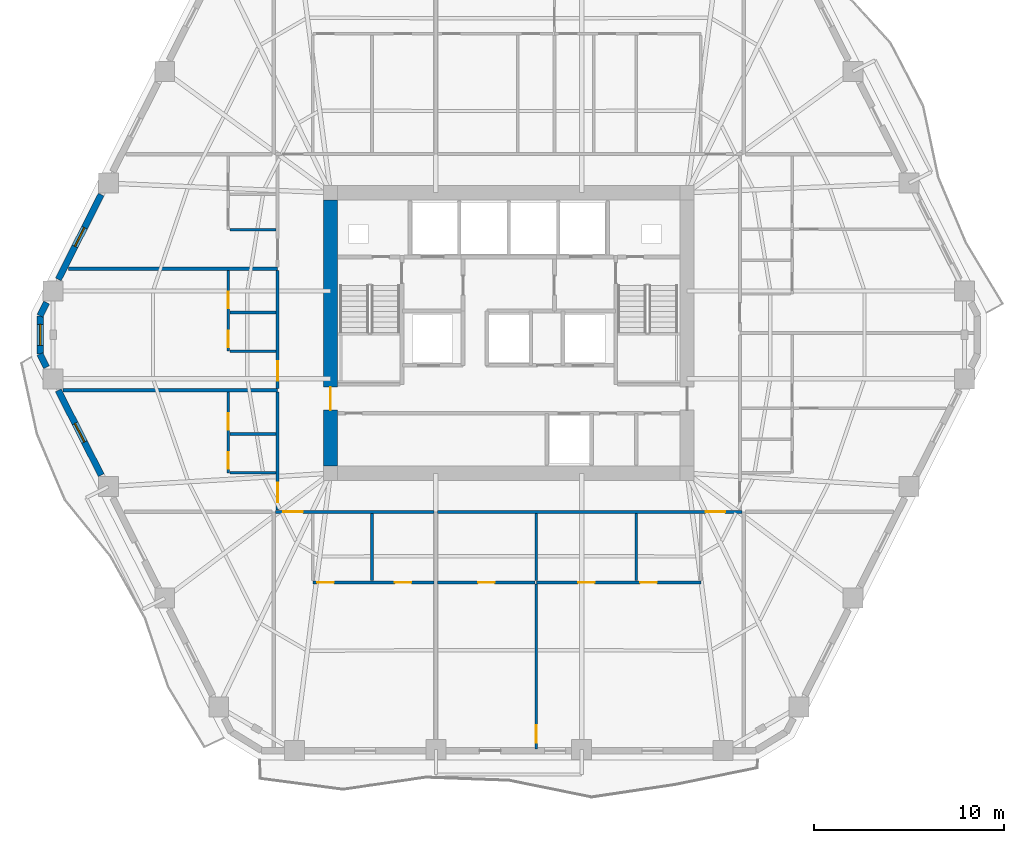
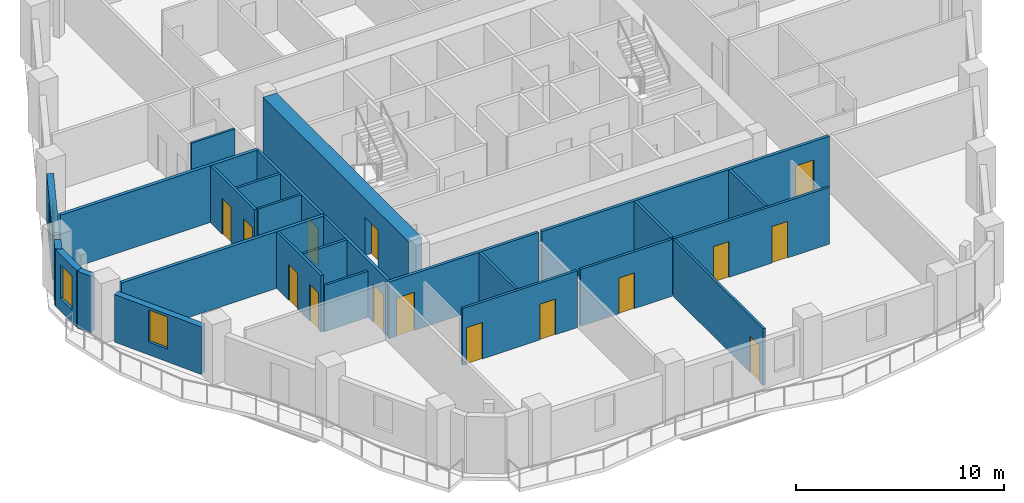
# One storey, part 4 of 11: 26 walls, 15 doors, 3 windows, 18 openings.
"""IFC4 building model written with IfcOpenShell, lengths in metres."""

from ifc_helpers import new_model, si_unit, direction, frame, frame_2d, origin, place, context, subcontext, project, spatial, rectangle, extrude, material, layer, layer_set, type_object, element, fill, save


model = new_model("IFC4")

# Units and contexts
model_context = context("Model", 3, precision=1e-05, world=origin(), true_north=direction((0.0, 1.0)))
body_context = subcontext(model_context, "Body", "Model", "MODEL_VIEW")
ifc_project = project(units=[si_unit("LENGTHUNIT", "METRE"), si_unit("AREAUNIT", "SQUARE_METRE"), si_unit("VOLUMEUNIT", "CUBIC_METRE"), si_unit("PLANEANGLEUNIT", "RADIAN"), si_unit("MASSUNIT", "GRAM", prefix="KILO")], contexts=[model_context])

# Site, building, storey
site_placement = place(None, origin())
site = spatial("IfcSite", under=ifc_project, at=site_placement, CompositionType="ELEMENT")
building_placement = place(site_placement, origin())
building = spatial("IfcBuilding", under=site, at=building_placement, Name="Cinnabar Lancet Tower", CompositionType="ELEMENT")
storey_placement = place(building_placement, frame((0.0, 0.0, 133.89990234375)))
storey = spatial("IfcBuildingStorey", under=building, at=storey_placement, Name="L35", CompositionType="ELEMENT", Elevation=133.89990234375)

# Wall, opening, door
ifc_material_1 = material(Name="Acoustic twin-stud gypsum partition", Category="gypsum")
ifc_layer_1 = layer(ifc_material_1, 0.159912109375)
ifc_layer_set_1 = layer_set([ifc_layer_1], Name="Acoustic twin-stud gypsum partition")
wall_type_1 = type_object("IfcWallType", Name="ARC-WL-CORR-160", PredefinedType="PARTITIONING", material=ifc_layer_set_1)
wall_1_placement = place(storey_placement, frame((20.14501953125, 16.5, 0.0), z_axis=(0.0, 0.0, 1.0), x_axis=(1.0, 0.0, 0.0)))
wall_1 = element("IfcWall", 1, at=wall_1_placement, inside=storey, type_object=wall_type_1, Name="L35 Unit S01 Corridor Wall", PredefinedType="PARTITIONING", context=body_context, shape_type="SweptSolid", body=[
    extrude(rectangle(XDim=8.327880859375, YDim=0.159912109375, at=frame_2d((4.1640625, 0.0))), origin(), (0.0, 0.0, 1.0), 3.340087890625),
])
opening_1_placement = place(wall_1_placement, frame((0.405029296875, 0.0, 0.0)))
opening_1 = element("IfcOpeningElement", 2, at=opening_1_placement, cuts=wall_1, Name="Opening UD-01", PredefinedType="OPENING", context=body_context, shape_type="SweptSolid", body=[
    extrude(rectangle(XDim=1.02001953125, YDim=2.25, at=frame_2d((0.510009765625, 1.125))), frame((0.0, 0.08984375, 0.0), z_axis=(0.0, -1.0, 0.0), x_axis=(1.0, 0.0, 0.0)), (0.0, 0.0, 1.0), 0.179931640625),
])
ifc_material_2 = material(Name="Solid timber fire-rated apartment entrance door", Category="wood")
door_type_1 = type_object("IfcDoorType", Name="ARC-DR-UNIT", OperationType="NOTDEFINED", PredefinedType="DOOR", material=ifc_material_2)
door_1_placement = place(opening_1_placement, origin())
door_1 = element("IfcDoor", 3, at=door_1_placement, inside=storey, type_object=door_type_1, Name="DR-L35-S01-ENT", OperationType="SINGLE_SWING_LEFT", OverallHeight=2.25, OverallWidth=1.02001953125, PredefinedType="DOOR", context=body_context, shape_type="SweptSolid", body=[
    extrude(rectangle(XDim=1.02001953125, YDim=2.25, at=frame_2d((0.510009765625, 1.125))), frame((0.0, 0.02490234375, 0.0), z_axis=(0.0, -1.0, 0.0), x_axis=(1.0, 0.0, 0.0)), (0.0, 0.0, 1.0), 0.050048828125),
])
fill(opening_1, door_1)

wall_2_placement = place(storey_placement, frame((28.6630859375, 16.5, 0.0), z_axis=(0.0, 0.0, 1.0), x_axis=(1.0, 0.0, 0.0)))
wall_2 = element("IfcWall", 4, at=wall_2_placement, inside=storey, type_object=wall_type_1, Name="L35 Unit S02 Corridor Wall", PredefinedType="PARTITIONING", context=body_context, shape_type="SweptSolid", body=[
    extrude(rectangle(XDim=15.991943359375, YDim=0.159912109375, at=frame_2d((7.99609375, 0.0))), origin(), (0.0, 0.0, 1.0), 3.340087890625),
])
opening_2_placement = place(wall_2_placement, frame((14.0869140625, 0.0, 0.0)))
opening_2 = element("IfcOpeningElement", 5, at=opening_2_placement, cuts=wall_2, Name="Opening UD-01", PredefinedType="OPENING", context=body_context, shape_type="SweptSolid", body=[
    extrude(rectangle(XDim=1.02001953125, YDim=2.25, at=frame_2d((0.510009765625, 1.125))), frame((0.0, 0.08984375, 0.0), z_axis=(0.0, -1.0, 0.0), x_axis=(1.0, 0.0, 0.0)), (0.0, 0.0, 1.0), 0.179931640625),
])
door_2_placement = place(opening_2_placement, origin())
door_2 = element("IfcDoor", 6, at=door_2_placement, inside=storey, type_object=door_type_1, Name="DR-L35-S02-ENT", OperationType="SINGLE_SWING_RIGHT", OverallHeight=2.25, OverallWidth=1.02001953125, PredefinedType="DOOR", context=body_context, shape_type="SweptSolid", body=[
    extrude(rectangle(XDim=1.02001953125, YDim=2.25, at=frame_2d((0.510009765625, 1.125))), frame((0.0, 0.02490234375, 0.0), z_axis=(0.0, -1.0, 0.0), x_axis=(1.0, 0.0, 0.0)), (0.0, 0.0, 1.0), 0.050048828125),
])
fill(opening_2, door_2)

wall_3_placement = place(storey_placement, frame((20.25, 16.594970703125, 0.0), z_axis=(0.0, 0.0, 1.0), x_axis=(0.0, 1.0, 0.0)))
wall_3 = element("IfcWall", 7, at=wall_3_placement, inside=storey, type_object=wall_type_1, Name="UW-L35-W01-COR", PredefinedType="PARTITIONING", context=body_context, shape_type="SweptSolid", body=[
    extrude(rectangle(XDim=6.2021484375, YDim=0.159912109375, at=frame_2d((3.10107421875, 0.0))), origin(), (0.0, 0.0, 1.0), 3.340087890625),
])
opening_3_placement = place(wall_3_placement, frame((0.39990234375, 0.0, 0.0)))
opening_3 = element("IfcOpeningElement", 8, at=opening_3_placement, cuts=wall_3, Name="Opening UD-01", PredefinedType="OPENING", context=body_context, shape_type="SweptSolid", body=[
    extrude(rectangle(XDim=1.02001953125, YDim=2.25, at=frame_2d((0.510009765625, 1.125))), frame((0.0, 0.08984375, 0.0), z_axis=(0.0, -1.0, 0.0), x_axis=(1.0, 0.0, 0.0)), (0.0, 0.0, 1.0), 0.179931640625),
])
door_3_placement = place(opening_3_placement, origin())
door_3 = element("IfcDoor", 9, at=door_3_placement, inside=storey, type_object=door_type_1, Name="DR-L35-W01-ENT", OperationType="SINGLE_SWING_LEFT", OverallHeight=2.25, OverallWidth=1.02001953125, PredefinedType="DOOR", context=body_context, shape_type="SweptSolid", body=[
    extrude(rectangle(XDim=1.02001953125, YDim=2.25, at=frame_2d((0.510009765625, 1.125))), frame((0.0, 0.02490234375, 0.0), z_axis=(0.0, -1.0, 0.0), x_axis=(1.0, 0.0, 0.0)), (0.0, 0.0, 1.0), 0.050048828125),
])
fill(opening_3, door_3)

wall_4_placement = place(storey_placement, frame((20.25, 22.987060546875, 0.0), z_axis=(0.0, 0.0, 1.0), x_axis=(0.0, 1.0, 0.0)))
wall_4 = element("IfcWall", 10, at=wall_4_placement, inside=storey, type_object=wall_type_1, Name="UW-L35-W02-COR", PredefinedType="PARTITIONING", context=body_context, shape_type="SweptSolid", body=[
    extrude(rectangle(XDim=6.201904296875, YDim=0.159912109375, at=frame_2d((3.10107421875, 0.0))), origin(), (0.0, 0.0, 1.0), 3.340087890625),
])
opening_4_placement = place(wall_4_placement, frame((0.39990234375, 0.0, 0.0)))
opening_4 = element("IfcOpeningElement", 11, at=opening_4_placement, cuts=wall_4, Name="Opening UD-01", PredefinedType="OPENING", context=body_context, shape_type="SweptSolid", body=[
    extrude(rectangle(XDim=1.02001953125, YDim=2.25, at=frame_2d((0.510009765625, 1.125))), frame((0.0, 0.08984375, 0.0), z_axis=(0.0, -1.0, 0.0), x_axis=(1.0, 0.0, 0.0)), (0.0, 0.0, 1.0), 0.179931640625),
])
door_4_placement = place(opening_4_placement, origin())
door_4 = element("IfcDoor", 12, at=door_4_placement, inside=storey, type_object=door_type_1, Name="DR-L35-W02-ENT", OperationType="SINGLE_SWING_RIGHT", OverallHeight=2.25, OverallWidth=1.02001953125, PredefinedType="DOOR", context=body_context, shape_type="SweptSolid", body=[
    extrude(rectangle(XDim=1.02001953125, YDim=2.25, at=frame_2d((0.510009765625, 1.125))), frame((0.0, 0.02490234375, 0.0), z_axis=(0.0, -1.0, 0.0), x_axis=(1.0, 0.0, 0.0)), (0.0, 0.0, 1.0), 0.050048828125),
])
fill(opening_4, door_4)

# Walls
ifc_material_3 = material(Name="Fire-rated twin-frame acoustic drywall", Category="gypsum")
ifc_layer_2 = layer(ifc_material_3, 0.179931640625)
ifc_layer_set_2 = layer_set([ifc_layer_2], Name="Fire-rated twin-frame acoustic drywall")
wall_type_2 = type_object("IfcWallType", Name="ARC-WL-PARTY-180", PredefinedType="PARTITIONING", material=ifc_layer_set_2)
wall_5_placement = place(storey_placement, frame((8.950927734375, 22.89208984375, 0.0), z_axis=(0.0, 0.0, 1.0), x_axis=(1.0, 0.0, 0.0)))
element("IfcWall", 13, at=wall_5_placement, inside=storey, type_object=wall_type_2, Name="PW-L35-WPTY-1", PredefinedType="PARTITIONING", context=body_context, shape_type="SweptSolid", body=[
    extrude(rectangle(XDim=11.299072265625, YDim=0.179931640625, at=frame_2d((5.6494140625, 0.0))), origin(), (0.0, 0.0, 1.0), 3.340087890625),
])
wall_6_placement = place(storey_placement, frame((9.241943359375, 29.283935546875, 0.0), z_axis=(0.0, 0.0, 1.0), x_axis=(1.0, 0.0, 0.0)))
element("IfcWall", 14, at=wall_6_placement, inside=storey, type_object=wall_type_2, Name="PW-L35-WPTY-2", PredefinedType="PARTITIONING", context=body_context, shape_type="SweptSolid", body=[
    extrude(rectangle(XDim=11.008056640625, YDim=0.179931640625, at=frame_2d((5.50390625, 0.0))), origin(), (0.0, 0.0, 1.0), 3.340087890625),
])

# Wall, opening, door
ifc_material_4 = material(Name="Gypsum plasterboard stud partition", Category="gypsum")
ifc_layer_3 = layer(ifc_material_4, 0.125)
ifc_layer_set_3 = layer_set([ifc_layer_3], Name="Gypsum plasterboard stud partition")
wall_type_3 = type_object("IfcWallType", Name="ARC-WL-UNIT-125", PredefinedType="PARTITIONING", material=ifc_layer_set_3)
wall_7_placement = place(storey_placement, frame((33.85009765625, 4.014892578125, 0.0), z_axis=(0.0, 0.0, 1.0), x_axis=(0.0, 1.0, 0.0)))
wall_7 = element("IfcWall", 15, at=wall_7_placement, inside=storey, type_object=wall_type_3, Name="UW-L35-S02-MBW", PredefinedType="PARTITIONING", context=body_context, shape_type="SweptSolid", body=[
    extrude(rectangle(XDim=8.692138671875, YDim=0.125, at=frame_2d((4.34619140625, 0.0))), origin(), (0.0, 0.0, 1.0), 3.340087890625),
])
opening_5_placement = place(wall_7_placement, frame((0.35009765625, 0.0, 0.0)))
opening_5 = element("IfcOpeningElement", 16, at=opening_5_placement, cuts=wall_7, Name="Opening RD-01", PredefinedType="OPENING", context=body_context, shape_type="SweptSolid", body=[
    extrude(rectangle(XDim=0.919921875, YDim=2.14990234375, at=frame_2d((0.4599609375, 1.074951171875))), frame((0.0, 0.072509765625, 0.0), z_axis=(0.0, -1.0, 0.0), x_axis=(1.0, 0.0, 0.0)), (0.0, 0.0, 1.0), 0.14501953125),
])
ifc_material_5 = material(Name="Engineered timber bedroom door", Category="wood")
door_type_2 = type_object("IfcDoorType", Name="ARC-DR-ROOM", OperationType="NOTDEFINED", PredefinedType="DOOR", material=ifc_material_5)
door_5_placement = place(opening_5_placement, origin())
door_5 = element("IfcDoor", 17, at=door_5_placement, inside=storey, type_object=door_type_2, Name="DR-L35-S02-MBD", OperationType="SINGLE_SWING_LEFT", OverallHeight=2.14990234375, OverallWidth=0.919921875, PredefinedType="DOOR", context=body_context, shape_type="SweptSolid", body=[
    extrude(rectangle(XDim=0.919921875, YDim=2.14990234375, at=frame_2d((0.4599609375, 1.074951171875))), frame((0.0, 0.02490234375, 0.0), z_axis=(0.0, -1.0, 0.0), x_axis=(1.0, 0.0, 0.0)), (0.0, 0.0, 1.0), 0.050048828125),
])
fill(opening_5, door_5)

# Walls
wall_8_placement = place(storey_placement, frame((17.735107421875, 18.550048828125, 0.0), z_axis=(0.0, 0.0, 1.0), x_axis=(1.0, 0.0, 0.0)))
element("IfcWall", 18, at=wall_8_placement, inside=storey, type_object=wall_type_3, Name="UW-L35-W01-FOYN", PredefinedType="PARTITIONING", context=body_context, shape_type="SweptSolid", body=[
    extrude(rectangle(XDim=2.429931640625, YDim=0.125, at=frame_2d((1.21484375, 0.0))), origin(), (0.0, 0.0, 1.0), 2.72216796875),
])
for number, where, z_axis, x_axis, name in (
    (19, (17.735107421875, 24.94189453125, 0.0), (0.0, 0.0, 1.0), (1.0, 0.0, 0.0), "UW-L35-W02-FOYN"),
    (20, (17.735107421875, 31.333984375, 0.0), (0.0, 0.0, 1.0), (1.0, 0.0, 0.0), "UW-L35-W03-FOYN"),
):
    element("IfcWall", number, at=place(storey_placement, frame(where, z_axis=z_axis, x_axis=x_axis)), inside=storey, type_object=wall_type_3, Name=name, PredefinedType="PARTITIONING", context=body_context, shape_type="SweptSolid", body=[
        extrude(rectangle(XDim=2.429931640625, YDim=0.125, at=frame_2d((1.21484375, 0.0))), origin(), (0.0, 0.0, 1.0), 3.340087890625),
    ])

# Wall, openings, doors
ifc_material_6 = material(Name="Moisture-resistant cement-board plumbing wall", Category="masonry")
ifc_layer_4 = layer(ifc_material_6, 0.139892578125)
ifc_layer_set_4 = layer_set([ifc_layer_4], Name="Moisture-resistant cement-board plumbing wall")
wall_type_4 = type_object("IfcWallType", Name="ARC-WL-WET-140", PredefinedType="PLUMBINGWALL", material=ifc_layer_set_4)
wall_9_placement = place(storey_placement, frame((22.10009765625, 12.781982421875, 0.0), z_axis=(0.0, 0.0, 1.0), x_axis=(1.0, 0.0, 0.0)))
wall_9 = element("IfcWall", 21, at=wall_9_placement, inside=storey, type_object=wall_type_4, Name="UW-L35-S01-SPL", PredefinedType="PLUMBINGWALL", context=body_context, shape_type="SweptSolid", body=[
    extrude(rectangle(XDim=6.372802734375, YDim=0.139892578125, at=frame_2d((3.1865234375, 0.0))), origin(), (0.0, 0.0, 1.0), 3.340087890625),
])
opening_6_placement = place(wall_9_placement, frame((4.31396484375, 0.0, 0.0)))
opening_6 = element("IfcOpeningElement", 22, at=opening_6_placement, cuts=wall_9, Name="Opening BD-01", PredefinedType="OPENING", context=body_context, shape_type="SweptSolid", body=[
    extrude(rectangle(XDim=0.860107421875, YDim=2.10009765625, at=frame_2d((0.43017578125, 1.050048828125))), frame((0.0, 0.079833984375, 0.0), z_axis=(0.0, -1.0, 0.0), x_axis=(1.0, 0.0, 0.0)), (0.0, 0.0, 1.0), 0.159912109375),
])
opening_7_placement = place(wall_9_placement, frame((0.219970703125, 0.0, 0.0)))
opening_7 = element("IfcOpeningElement", 23, at=opening_7_placement, cuts=wall_9, Name="Opening RD-02", PredefinedType="OPENING", context=body_context, shape_type="SweptSolid", body=[
    extrude(rectangle(XDim=0.8798828125, YDim=2.14990234375, at=frame_2d((0.43994140625, 1.074951171875))), frame((0.0, 0.079833984375, 0.0), z_axis=(0.0, -1.0, 0.0), x_axis=(1.0, 0.0, 0.0)), (0.0, 0.0, 1.0), 0.159912109375),
])
ifc_material_7 = material(Name="Moisture-resistant timber bathroom door", Category="wood")
door_type_3 = type_object("IfcDoorType", Name="ARC-DR-BATH", OperationType="NOTDEFINED", PredefinedType="DOOR", material=ifc_material_7)
door_6_placement = place(opening_6_placement, origin())
door_6 = element("IfcDoor", 24, at=door_6_placement, inside=storey, type_object=door_type_3, Name="DR-L35-S01-BTH", OperationType="SINGLE_SWING_LEFT", OverallHeight=2.10009765625, OverallWidth=0.860107421875, PredefinedType="DOOR", context=body_context, shape_type="SweptSolid", body=[
    extrude(rectangle(XDim=0.860107421875, YDim=2.10009765625, at=frame_2d((0.43017578125, 1.050048828125))), frame((0.0, 0.02490234375, 0.0), z_axis=(0.0, -1.0, 0.0), x_axis=(1.0, 0.0, 0.0)), (0.0, 0.0, 1.0), 0.050048828125),
])
fill(opening_6, door_6)
ifc_material_8 = material(Name="Engineered timber study door", Category="wood")
door_type_4 = type_object("IfcDoorType", Name="ARC-DR-STUDY", OperationType="NOTDEFINED", PredefinedType="DOOR", material=ifc_material_8)
door_7_placement = place(opening_7_placement, origin())
door_7 = element("IfcDoor", 25, at=door_7_placement, inside=storey, type_object=door_type_4, Name="DR-L35-S01-KIT", OperationType="SINGLE_SWING_RIGHT", OverallHeight=2.14990234375, OverallWidth=0.8798828125, PredefinedType="DOOR", context=body_context, shape_type="SweptSolid", body=[
    extrude(rectangle(XDim=0.8798828125, YDim=2.14990234375, at=frame_2d((0.43994140625, 1.074951171875))), frame((0.0, 0.02490234375, 0.0), z_axis=(0.0, -1.0, 0.0), x_axis=(1.0, 0.0, 0.0)), (0.0, 0.0, 1.0), 0.050048828125),
])
fill(opening_7, door_7)

# Wall
wall_10_placement = place(storey_placement, frame((25.205078125, 12.886962890625, 0.0), z_axis=(0.0, 0.0, 1.0), x_axis=(0.0, 1.0, 0.0)))
element("IfcWall", 26, at=wall_10_placement, inside=storey, type_object=wall_type_4, Name="UW-L35-S01-KDV", PredefinedType="PLUMBINGWALL", context=body_context, shape_type="SweptSolid", body=[
    extrude(rectangle(XDim=3.528076171875, YDim=0.139892578125, at=frame_2d((1.76416015625, 0.0))), origin(), (0.0, 0.0, 1.0), 3.340087890625),
])

# Wall, openings, doors
wall_11_placement = place(storey_placement, frame((33.85009765625, 12.781982421875, 0.0), z_axis=(0.0, 0.0, 1.0), x_axis=(1.0, 0.0, 0.0)))
wall_11 = element("IfcWall", 27, at=wall_11_placement, inside=storey, type_object=wall_type_4, Name="UW-L35-S02-SPL", PredefinedType="PLUMBINGWALL", context=body_context, shape_type="SweptSolid", body=[
    extrude(rectangle(XDim=8.64990234375, YDim=0.139892578125, at=frame_2d((4.324951171875, 0.0))), origin(), (0.0, 0.0, 1.0), 3.340087890625),
])
opening_8_placement = place(wall_11_placement, frame((2.199951171875, 0.0, 0.0)))
opening_8 = element("IfcOpeningElement", 28, at=opening_8_placement, cuts=wall_11, Name="Opening BD-01", PredefinedType="OPENING", context=body_context, shape_type="SweptSolid", body=[
    extrude(rectangle(XDim=0.860107421875, YDim=2.10009765625, at=frame_2d((0.43017578125, 1.050048828125))), frame((0.0, 0.079833984375, 0.0), z_axis=(0.0, -1.0, 0.0), x_axis=(1.0, 0.0, 0.0)), (0.0, 0.0, 1.0), 0.159912109375),
])
opening_9_placement = place(wall_11_placement, frame((5.449951171875, 0.0, 0.0)))
opening_9 = element("IfcOpeningElement", 29, at=opening_9_placement, cuts=wall_11, Name="Opening RD-02", PredefinedType="OPENING", context=body_context, shape_type="SweptSolid", body=[
    extrude(rectangle(XDim=0.8798828125, YDim=2.14990234375, at=frame_2d((0.43994140625, 1.074951171875))), frame((0.0, 0.079833984375, 0.0), z_axis=(0.0, -1.0, 0.0), x_axis=(1.0, 0.0, 0.0)), (0.0, 0.0, 1.0), 0.159912109375),
])
door_8_placement = place(opening_8_placement, origin())
door_8 = element("IfcDoor", 30, at=door_8_placement, inside=storey, type_object=door_type_3, Name="DR-L35-S02-BTH", OperationType="SINGLE_SWING_LEFT", OverallHeight=2.10009765625, OverallWidth=0.860107421875, PredefinedType="DOOR", context=body_context, shape_type="SweptSolid", body=[
    extrude(rectangle(XDim=0.860107421875, YDim=2.10009765625, at=frame_2d((0.43017578125, 1.050048828125))), frame((0.0, 0.02490234375, 0.0), z_axis=(0.0, -1.0, 0.0), x_axis=(1.0, 0.0, 0.0)), (0.0, 0.0, 1.0), 0.050048828125),
])
fill(opening_8, door_8)
door_9_placement = place(opening_9_placement, origin())
door_9 = element("IfcDoor", 31, at=door_9_placement, inside=storey, type_object=door_type_4, Name="DR-L35-S02-KIT", OperationType="SINGLE_SWING_RIGHT", OverallHeight=2.14990234375, OverallWidth=0.8798828125, PredefinedType="DOOR", context=body_context, shape_type="SweptSolid", body=[
    extrude(rectangle(XDim=0.8798828125, YDim=2.14990234375, at=frame_2d((0.43994140625, 1.074951171875))), frame((0.0, 0.02490234375, 0.0), z_axis=(0.0, -1.0, 0.0), x_axis=(1.0, 0.0, 0.0)), (0.0, 0.0, 1.0), 0.050048828125),
])
fill(opening_9, door_9)

# Wall, opening, door
wall_12_placement = place(storey_placement, frame((28.6630859375, 12.781982421875, 0.0), z_axis=(0.0, 0.0, 1.0), x_axis=(1.0, 0.0, 0.0)))
wall_12 = element("IfcWall", 32, at=wall_12_placement, inside=storey, type_object=wall_type_4, Name="UW-L35-S02-SPM", PredefinedType="PLUMBINGWALL", context=body_context, shape_type="SweptSolid", body=[
    extrude(rectangle(XDim=5.11181640625, YDim=0.139892578125, at=frame_2d((2.555908203125, 0.0))), origin(), (0.0, 0.0, 1.0), 3.340087890625),
])
opening_10_placement = place(wall_12_placement, frame((2.131103515625, 0.0, 0.0)))
opening_10 = element("IfcOpeningElement", 33, at=opening_10_placement, cuts=wall_12, Name="Opening BD-01", PredefinedType="OPENING", context=body_context, shape_type="SweptSolid", body=[
    extrude(rectangle(XDim=0.860107421875, YDim=2.10009765625, at=frame_2d((0.43017578125, 1.050048828125))), frame((0.0, 0.079833984375, 0.0), z_axis=(0.0, -1.0, 0.0), x_axis=(1.0, 0.0, 0.0)), (0.0, 0.0, 1.0), 0.159912109375),
])
door_10_placement = place(opening_10_placement, origin())
door_10 = element("IfcDoor", 34, at=door_10_placement, inside=storey, type_object=door_type_3, Name="DR-L35-S02-ENS", OperationType="SINGLE_SWING_RIGHT", OverallHeight=2.10009765625, OverallWidth=0.860107421875, PredefinedType="DOOR", context=body_context, shape_type="SweptSolid", body=[
    extrude(rectangle(XDim=0.860107421875, YDim=2.10009765625, at=frame_2d((0.43017578125, 1.050048828125))), frame((0.0, 0.02490234375, 0.0), z_axis=(0.0, -1.0, 0.0), x_axis=(1.0, 0.0, 0.0)), (0.0, 0.0, 1.0), 0.050048828125),
])
fill(opening_10, door_10)

# Walls
for number, where, z_axis, x_axis, name in (
    (35, (39.10009765625, 12.886962890625, 0.0), (0.0, 0.0, 1.0), (0.0, 1.0, 0.0), "UW-L35-S02-KBD"),
    (36, (33.85009765625, 12.886962890625, 0.0), (0.0, 0.0, 1.0), (0.0, 1.0, 0.0), "UW-L35-S02-ENSW"),
):
    element("IfcWall", number, at=place(storey_placement, frame(where, z_axis=z_axis, x_axis=x_axis)), inside=storey, type_object=wall_type_4, Name=name, PredefinedType="PLUMBINGWALL", context=body_context, shape_type="SweptSolid", body=[
        extrude(rectangle(XDim=3.528076171875, YDim=0.139892578125, at=frame_2d((1.76416015625, 0.0))), origin(), (0.0, 0.0, 1.0), 3.340087890625),
    ])

# Wall, openings, doors
wall_13_placement = place(storey_placement, frame((17.64990234375, 18.550048828125, 0.0), z_axis=(0.0, 0.0, 1.0), x_axis=(0.0, 1.0, 0.0)))
wall_13 = element("IfcWall", 37, at=wall_13_placement, inside=storey, type_object=wall_type_4, Name="UW-L35-W01-SPL", PredefinedType="PLUMBINGWALL", context=body_context, shape_type="SweptSolid", body=[
    extrude(rectangle(XDim=4.2470703125, YDim=0.139892578125, at=frame_2d((2.12353515625, 0.0))), origin(), (0.0, 0.0, 1.0), 3.340087890625),
])
opening_11_placement = place(wall_13_placement, frame((2.259033203125, 0.0, 0.0)))
opening_11 = element("IfcOpeningElement", 38, at=opening_11_placement, cuts=wall_13, Name="Opening BD-01", PredefinedType="OPENING", context=body_context, shape_type="SweptSolid", body=[
    extrude(rectangle(XDim=0.860107421875, YDim=2.10009765625, at=frame_2d((0.43017578125, 1.050048828125))), frame((0.0, 0.079833984375, 0.0), z_axis=(0.0, -1.0, 0.0), x_axis=(1.0, 0.0, 0.0)), (0.0, 0.0, 1.0), 0.159912109375),
])
opening_12_placement = place(wall_13_placement, frame((0.199951171875, 0.0, 0.0)))
opening_12 = element("IfcOpeningElement", 39, at=opening_12_placement, cuts=wall_13, Name="Opening RD-02", PredefinedType="OPENING", context=body_context, shape_type="SweptSolid", body=[
    extrude(rectangle(XDim=0.8798828125, YDim=2.14990234375, at=frame_2d((0.43994140625, 1.074951171875))), frame((0.0, 0.079833984375, 0.0), z_axis=(0.0, -1.0, 0.0), x_axis=(1.0, 0.0, 0.0)), (0.0, 0.0, 1.0), 0.159912109375),
])
door_11_placement = place(opening_11_placement, origin())
door_11 = element("IfcDoor", 40, at=door_11_placement, inside=storey, type_object=door_type_3, Name="DR-L35-W01-BTH", OperationType="SINGLE_SWING_LEFT", OverallHeight=2.10009765625, OverallWidth=0.860107421875, PredefinedType="DOOR", context=body_context, shape_type="SweptSolid", body=[
    extrude(rectangle(XDim=0.860107421875, YDim=2.10009765625, at=frame_2d((0.43017578125, 1.050048828125))), frame((0.0, 0.02490234375, 0.0), z_axis=(0.0, -1.0, 0.0), x_axis=(1.0, 0.0, 0.0)), (0.0, 0.0, 1.0), 0.050048828125),
])
fill(opening_11, door_11)
door_12_placement = place(opening_12_placement, origin())
door_12 = element("IfcDoor", 41, at=door_12_placement, inside=storey, type_object=door_type_4, Name="DR-L35-W01-KIT", OperationType="SINGLE_SWING_RIGHT", OverallHeight=2.14990234375, OverallWidth=0.8798828125, PredefinedType="DOOR", context=body_context, shape_type="SweptSolid", body=[
    extrude(rectangle(XDim=0.8798828125, YDim=2.14990234375, at=frame_2d((0.43994140625, 1.074951171875))), frame((0.0, 0.02490234375, 0.0), z_axis=(0.0, -1.0, 0.0), x_axis=(1.0, 0.0, 0.0)), (0.0, 0.0, 1.0), 0.050048828125),
])
fill(opening_12, door_12)

# Wall
wall_14_placement = place(storey_placement, frame((17.735107421875, 20.589111328125, 0.0), z_axis=(0.0, 0.0, 1.0), x_axis=(1.0, 0.0, 0.0)))
element("IfcWall", 42, at=wall_14_placement, inside=storey, type_object=wall_type_4, Name="UW-L35-W01-KDV", PredefinedType="PLUMBINGWALL", context=body_context, shape_type="SweptSolid", body=[
    extrude(rectangle(XDim=2.429931640625, YDim=0.139892578125, at=frame_2d((1.21484375, 0.0))), origin(), (0.0, 0.0, 1.0), 3.340087890625),
])

# Wall, openings, doors
wall_15_placement = place(storey_placement, frame((17.64990234375, 24.94189453125, 0.0), z_axis=(0.0, 0.0, 1.0), x_axis=(0.0, 1.0, 0.0)))
wall_15 = element("IfcWall", 43, at=wall_15_placement, inside=storey, type_object=wall_type_4, Name="UW-L35-W02-SPL", PredefinedType="PLUMBINGWALL", context=body_context, shape_type="SweptSolid", body=[
    extrude(rectangle(XDim=4.2470703125, YDim=0.139892578125, at=frame_2d((2.12353515625, 0.0))), origin(), (0.0, 0.0, 1.0), 3.340087890625),
])
opening_13_placement = place(wall_15_placement, frame((2.259033203125, 0.0, 0.0)))
opening_13 = element("IfcOpeningElement", 44, at=opening_13_placement, cuts=wall_15, Name="Opening BD-01", PredefinedType="OPENING", context=body_context, shape_type="SweptSolid", body=[
    extrude(rectangle(XDim=0.860107421875, YDim=2.10009765625, at=frame_2d((0.43017578125, 1.050048828125))), frame((0.0, 0.079833984375, 0.0), z_axis=(0.0, -1.0, 0.0), x_axis=(1.0, 0.0, 0.0)), (0.0, 0.0, 1.0), 0.159912109375),
])
opening_14_placement = place(wall_15_placement, frame((0.199951171875, 0.0, 0.0)))
opening_14 = element("IfcOpeningElement", 45, at=opening_14_placement, cuts=wall_15, Name="Opening RD-02", PredefinedType="OPENING", context=body_context, shape_type="SweptSolid", body=[
    extrude(rectangle(XDim=0.8798828125, YDim=2.14990234375, at=frame_2d((0.43994140625, 1.074951171875))), frame((0.0, 0.079833984375, 0.0), z_axis=(0.0, -1.0, 0.0), x_axis=(1.0, 0.0, 0.0)), (0.0, 0.0, 1.0), 0.159912109375),
])
door_13_placement = place(opening_13_placement, origin())
door_13 = element("IfcDoor", 46, at=door_13_placement, inside=storey, type_object=door_type_3, Name="DR-L35-W02-BTH", OperationType="SINGLE_SWING_RIGHT", OverallHeight=2.10009765625, OverallWidth=0.860107421875, PredefinedType="DOOR", context=body_context, shape_type="SweptSolid", body=[
    extrude(rectangle(XDim=0.860107421875, YDim=2.10009765625, at=frame_2d((0.43017578125, 1.050048828125))), frame((0.0, 0.02490234375, 0.0), z_axis=(0.0, -1.0, 0.0), x_axis=(1.0, 0.0, 0.0)), (0.0, 0.0, 1.0), 0.050048828125),
])
fill(opening_13, door_13)
door_14_placement = place(opening_14_placement, origin())
door_14 = element("IfcDoor", 47, at=door_14_placement, inside=storey, type_object=door_type_4, Name="DR-L35-W02-KIT", OperationType="SINGLE_SWING_LEFT", OverallHeight=2.14990234375, OverallWidth=0.8798828125, PredefinedType="DOOR", context=body_context, shape_type="SweptSolid", body=[
    extrude(rectangle(XDim=0.8798828125, YDim=2.14990234375, at=frame_2d((0.43994140625, 1.074951171875))), frame((0.0, 0.02490234375, 0.0), z_axis=(0.0, -1.0, 0.0), x_axis=(1.0, 0.0, 0.0)), (0.0, 0.0, 1.0), 0.050048828125),
])
fill(opening_14, door_14)

# Wall
wall_16_placement = place(storey_placement, frame((17.735107421875, 26.98095703125, 0.0), z_axis=(0.0, 0.0, 1.0), x_axis=(1.0, 0.0, 0.0)))
element("IfcWall", 48, at=wall_16_placement, inside=storey, type_object=wall_type_4, Name="UW-L35-W02-KDV", PredefinedType="PLUMBINGWALL", context=body_context, shape_type="SweptSolid", body=[
    extrude(rectangle(XDim=2.429931640625, YDim=0.139892578125, at=frame_2d((1.21484375, 0.0))), origin(), (0.0, 0.0, 1.0), 3.340087890625),
])

# Wall, opening, window
ifc_material_9 = material(Name="Cinnabar red clay brick", Category="masonry")
ifc_layer_5 = layer(ifc_material_9, 0.340087890625)
ifc_layer_set_5 = layer_set([ifc_layer_5], Name="Cinnabar red clay brick")
wall_type_5 = type_object("IfcWallType", Name="ENV-WL-BRK-RED-340", PredefinedType="STANDARD", material=ifc_layer_set_5)
wall_17_placement = place(storey_placement, frame((7.76708984375, 26.797119140625, 0.0), z_axis=(0.0, 0.0, 1.0), x_axis=(0.0, -1.0, 0.0)))
wall_17 = element("IfcWall", 49, at=wall_17_placement, inside=storey, type_object=wall_type_5, Name="L35 Chamfered Corner Brick Pier 6.1", PredefinedType="STANDARD", context=body_context, shape_type="SweptSolid", body=[
    extrude(rectangle(XDim=1.994140625, YDim=0.340087890625, at=frame_2d((0.9970703125, 0.0))), origin(), (0.0, 0.0, 1.0), 3.340087890625),
])
opening_15_placement = place(wall_17_placement, frame((0.447021484375, 0.0, 0.75)))
opening_15 = element("IfcOpeningElement", 50, at=opening_15_placement, cuts=wall_17, Name="Opening WN-04", PredefinedType="OPENING", context=body_context, shape_type="SweptSolid", body=[
    extrude(rectangle(XDim=1.10009765625, YDim=2.0, at=frame_2d((0.550048828125, 1.0))), frame((0.0, 0.179931640625, 0.0), z_axis=(0.0, -1.0, 0.0), x_axis=(1.0, 0.0, 0.0)), (0.0, 0.0, 1.0), 0.360107421875),
])
ifc_material_10 = material(Name="Thermally broken bronze-anodized aluminium tall lancet window", Category="aluminium")
window_type = type_object("IfcWindowType", Name="ENV-WN-LANCET-1100", PartitioningType="SINGLE_PANEL", PredefinedType="WINDOW", material=ifc_material_10)
window_1_placement = place(opening_15_placement, origin())
window_1 = element("IfcWindow", 51, at=window_1_placement, inside=storey, type_object=window_type, Name="L35 Dwelling Gothic Lancet Window 323", OverallHeight=2.0, OverallWidth=1.10009765625, PartitioningType="SINGLE_PANEL", PredefinedType="WINDOW", context=body_context, shape_type="SweptSolid", body=[
    extrude(rectangle(XDim=1.10009765625, YDim=2.0, at=frame_2d((0.550048828125, 1.0))), frame((0.0, 0.030029296875, 0.0), z_axis=(0.0, -1.0, 0.0), x_axis=(1.0, 0.0, 0.0)), (0.0, 0.0, 1.0), 0.06005859375),
])
fill(opening_15, window_1)

wall_18_placement = place(storey_placement, frame((10.968017578125, 33.172119140625, 0.0), z_axis=(0.0, 0.0, 1.0), x_axis=(-0.451470533039, -0.892286029139, 0.0)))
wall_18 = element("IfcWall", 52, at=wall_18_placement, inside=storey, type_object=wall_type_5, Name="L35 Face 5 Masonry Bay Wall 4", PredefinedType="STANDARD", context=body_context, shape_type="SweptSolid", body=[
    extrude(rectangle(XDim=4.9951171875, YDim=0.340087890625, at=frame_2d((2.49755859375, 0.0))), origin(), (0.0, 0.0, 1.0), 2.797119140625),
])
opening_16_placement = place(wall_18_placement, frame((1.947021484375, 0.0, 0.75)))
opening_16 = element("IfcOpeningElement", 53, at=opening_16_placement, cuts=wall_18, Name="Opening WN-04", PredefinedType="OPENING", context=body_context, shape_type="SweptSolid", body=[
    extrude(rectangle(XDim=1.10009765625, YDim=1.89697265625, at=frame_2d((0.550048828125, 0.948486328125))), frame((0.0, 0.179931640625, 0.0), z_axis=(0.0, -1.0, 0.0), x_axis=(1.0, 0.0, 0.0)), (0.0, 0.0, 1.0), 0.360107421875),
])
window_2_placement = place(opening_16_placement, origin())
window_2 = element("IfcWindow", 54, at=window_2_placement, inside=storey, type_object=window_type, Name="L35 Face 5 Gothic Lancet Window 4", OverallHeight=1.89697265625, OverallWidth=1.10009765625, PartitioningType="SINGLE_PANEL", PredefinedType="WINDOW", context=body_context, shape_type="SweptSolid", body=[
    extrude(rectangle(XDim=1.10009765625, YDim=1.89697265625, at=frame_2d((0.550048828125, 0.948486328125))), frame((0.0, 0.030029296875, 0.0), z_axis=(0.0, -1.0, 0.0), x_axis=(1.0, 0.0, 0.0)), (0.0, 0.0, 1.0), 0.06005859375),
])
fill(opening_16, window_2)

# Walls
for number, where, z_axis, x_axis, name in (
    (55, (8.10009765625, 27.5029296875, 0.0), (0.0, 0.0, 1.0), (-0.451819324107, -0.89210946546, 0.0), "L35 Face 5 Masonry Bay Wall 5"),
    (56, (7.74609375, 24.7958984375, 0.0), (0.0, 0.0, 1.0), (0.451819324107, -0.89210946546, 0.0), "L35 Face 6 Masonry Bay Wall 1"),
):
    element("IfcWall", number, at=place(storey_placement, frame(where, z_axis=z_axis, x_axis=x_axis)), inside=storey, type_object=wall_type_5, Name=name, PredefinedType="STANDARD", context=body_context, shape_type="SweptSolid", body=[
        extrude(rectangle(XDim=0.783447265625, YDim=0.340087890625, at=frame_2d((0.3916015625, 0.0))), origin(), (0.0, 0.0, 1.0), 3.340087890625),
    ])

# Wall, opening, window
wall_19_placement = place(storey_placement, frame((8.712890625, 22.885009765625, 0.0), z_axis=(0.0, 0.0, 1.0), x_axis=(0.451470533039, -0.892286029139, 0.0)))
wall_19 = element("IfcWall", 57, at=wall_19_placement, inside=storey, type_object=wall_type_5, Name="L35 Face 6 Masonry Bay Wall 2", PredefinedType="STANDARD", context=body_context, shape_type="SweptSolid", body=[
    extrude(rectangle(XDim=4.9951171875, YDim=0.340087890625, at=frame_2d((2.49755859375, 0.0))), origin(), (0.0, 0.0, 1.0), 2.797119140625),
])
opening_17_placement = place(wall_19_placement, frame((1.947021484375, 0.0, 0.75)))
opening_17 = element("IfcOpeningElement", 58, at=opening_17_placement, cuts=wall_19, Name="Opening WN-04", PredefinedType="OPENING", context=body_context, shape_type="SweptSolid", body=[
    extrude(rectangle(XDim=1.10009765625, YDim=1.89697265625, at=frame_2d((0.550048828125, 0.948486328125))), frame((0.0, 0.179931640625, 0.0), z_axis=(0.0, -1.0, 0.0), x_axis=(1.0, 0.0, 0.0)), (0.0, 0.0, 1.0), 0.360107421875),
])
window_3_placement = place(opening_17_placement, origin())
window_3 = element("IfcWindow", 59, at=window_3_placement, inside=storey, type_object=window_type, Name="L35 Face 6 Gothic Lancet Window 2", OverallHeight=1.89697265625, OverallWidth=1.10009765625, PartitioningType="SINGLE_PANEL", PredefinedType="WINDOW", context=body_context, shape_type="SweptSolid", body=[
    extrude(rectangle(XDim=1.10009765625, YDim=1.89697265625, at=frame_2d((0.550048828125, 0.948486328125))), frame((0.0, 0.030029296875, 0.0), z_axis=(0.0, -1.0, 0.0), x_axis=(1.0, 0.0, 0.0)), (0.0, 0.0, 1.0), 0.06005859375),
])
fill(opening_17, window_3)

# Wall, opening, door
ifc_material_11 = material(Name="Concrete C70/85", Category="concrete")
ifc_layer_6 = layer(ifc_material_11, 0.75)
ifc_layer_set_6 = layer_set([ifc_layer_6], Name="Concrete C70/85")
wall_type_6 = type_object("IfcWallType", Name="STR-WL-CORE-750", PredefinedType="SHEAR", material=ifc_layer_set_6)
wall_20_placement = place(storey_placement, frame((23.02490234375, 18.89990234375, 0.0), z_axis=(0.0, 0.0, 1.0), x_axis=(0.0, 1.0, 0.0)))
wall_20 = element("IfcWall", 60, at=wall_20_placement, inside=storey, type_object=wall_type_6, Name="L35 Core Shear Wall W", PredefinedType="SHEAR", context=body_context, shape_type="SweptSolid", body=[
    extrude(rectangle(XDim=14.0, YDim=0.75, at=frame_2d((7.0, 0.0))), origin(), (0.0, 0.0, 1.0), 3.340087890625),
])
opening_18_placement = place(wall_20_placement, frame((2.93994140625, 0.0, 0.0)))
opening_18 = element("IfcOpeningElement", 61, at=opening_18_placement, cuts=wall_20, Name="Opening FD-02", PredefinedType="OPENING", context=body_context, shape_type="SweptSolid", body=[
    extrude(rectangle(XDim=1.219970703125, YDim=2.25, at=frame_2d((0.60986328125, 1.125))), frame((0.0, 0.385009765625, 0.0), z_axis=(0.0, -1.0, 0.0), x_axis=(1.0, 0.0, 0.0)), (0.0, 0.0, 1.0), 0.77001953125),
])
ifc_material_12 = material(Name="Fire-rated double-vision core portal door", Category="wood")
door_type_5 = type_object("IfcDoorType", Name="ARC-DR-CPORT", OperationType="NOTDEFINED", PredefinedType="DOOR", material=ifc_material_12)
door_15_placement = place(opening_18_placement, origin())
door_15 = element("IfcDoor", 62, at=door_15_placement, inside=storey, type_object=door_type_5, Name="L35 West Core Lobby Fire Door", OperationType="SINGLE_SWING_RIGHT", OverallHeight=2.25, OverallWidth=1.219970703125, PredefinedType="DOOR", context=body_context, shape_type="SweptSolid", body=[
    extrude(rectangle(XDim=1.219970703125, YDim=2.25, at=frame_2d((0.60986328125, 1.125))), frame((0.0, 0.02490234375, 0.0), z_axis=(0.0, -1.0, 0.0), x_axis=(1.0, 0.0, 0.0)), (0.0, 0.0, 1.0), 0.050048828125),
])
fill(opening_18, door_15)

save(model, "model.ifc")
